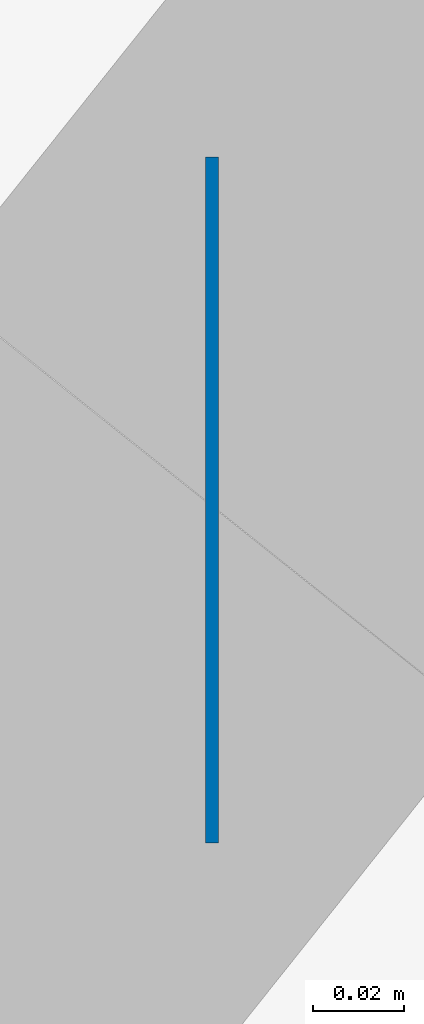
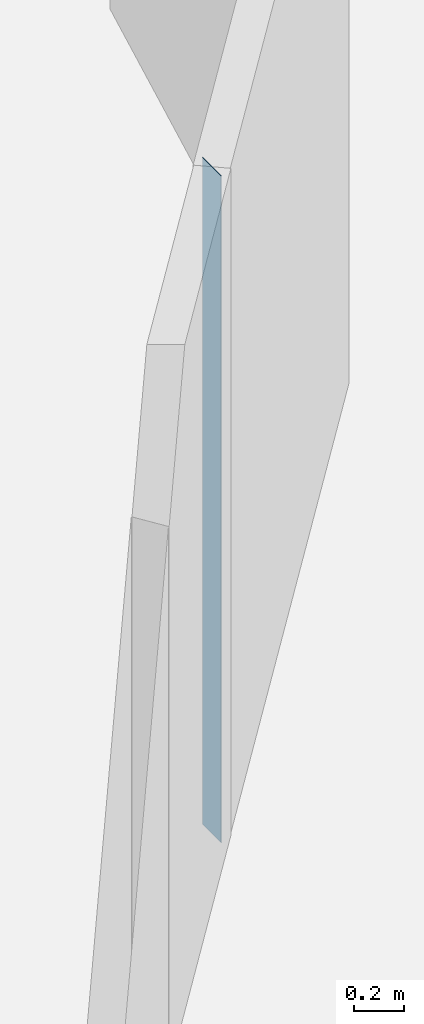
# One storey, part 4 of 11: 1 wall.
"""IFC4 building model written with IfcOpenShell, lengths in metres."""

from ifc_helpers import new_model, si_unit, direction, frame, frame_2d, origin, place, context, subcontext, project, spatial, rectangle, extrude, material, layer, layer_set, type_object, element, save


model = new_model("IFC4")

# Units and contexts
model_context = context("Model", 3, precision=1e-05, world=origin(), true_north=direction((0.0, 1.0)))
body_context = subcontext(model_context, "Body", "Model", "MODEL_VIEW")
ifc_project = project(units=[si_unit("LENGTHUNIT", "METRE"), si_unit("AREAUNIT", "SQUARE_METRE"), si_unit("VOLUMEUNIT", "CUBIC_METRE"), si_unit("PLANEANGLEUNIT", "RADIAN"), si_unit("MASSUNIT", "GRAM", prefix="KILO")], contexts=[model_context])

# Site, building, storey
site_placement = place(None, origin())
site = spatial("IfcSite", under=ifc_project, at=site_placement, CompositionType="ELEMENT")
building_placement = place(site_placement, origin())
building = spatial("IfcBuilding", under=site, at=building_placement, Name="Tracery Tower", CompositionType="ELEMENT")
storey_placement = place(building_placement, frame((0.0, 0.0, 238.199951171875)))
storey = spatial("IfcBuildingStorey", under=building, at=storey_placement, Name="L61", CompositionType="ELEMENT", Elevation=238.199951171875)

# Wall
ifc_material = material(Name="Plasterboard on steel studs", Category="steel")
ifc_layer = layer(ifc_material, 0.14990234375)
ifc_layer_set = layer_set([ifc_layer], Name="Partition 150 corridor wall")
wall_type = type_object("IfcWallType", Name="Partition 150 corridor wall", PredefinedType="PARTITIONING", material=ifc_layer_set)
wall_placement = place(storey_placement, frame((11.136962890625, -8.800048828125, 0.0), z_axis=(0.0, 0.0, 1.0), x_axis=(-1.0, 0.0, 0.0)))
element("IfcWall", 1, at=wall_placement, inside=storey, type_object=wall_type, Name="Corridor wall RC1-019", PredefinedType="PARTITIONING", context=body_context, shape_type="SweptSolid", body=[
    extrude(rectangle(XDim=0.0029296875, YDim=0.14990234375, at=frame_2d((0.00146484375, 0.0))), origin(), (0.0, 0.0, 1.0), 3.25),
])

save(model, "model.ifc")
